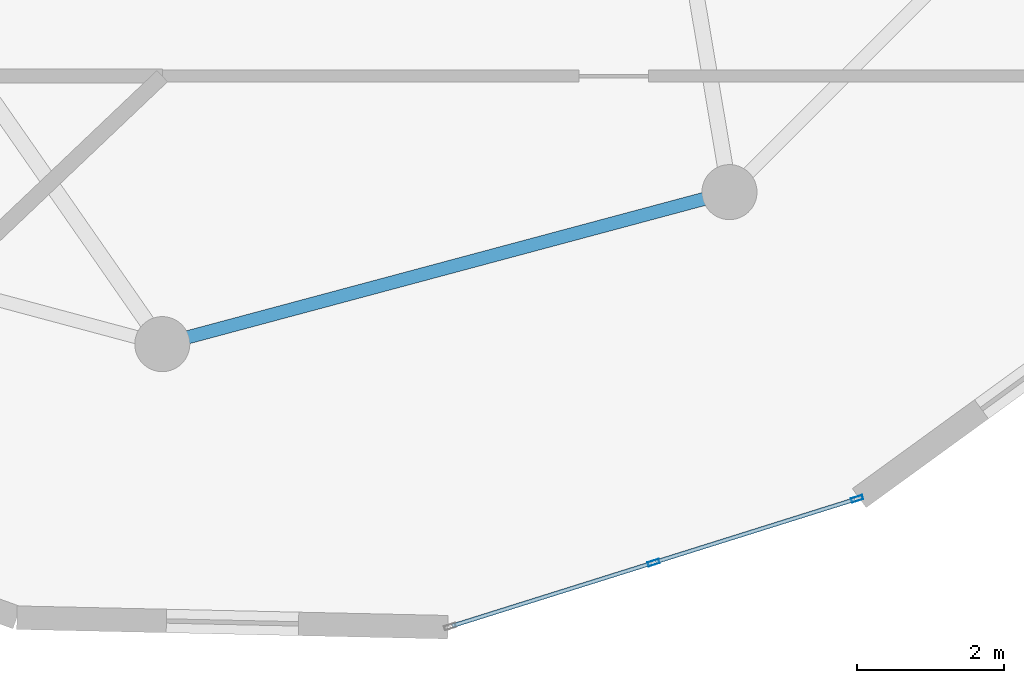
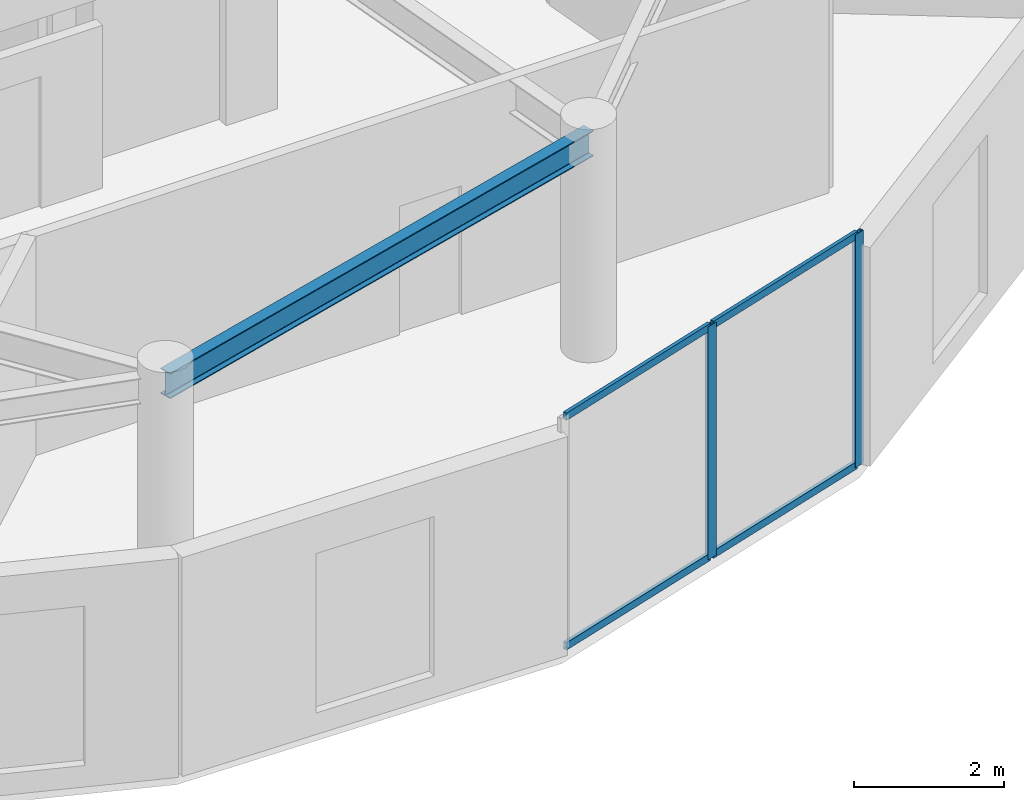
# One storey, part 5 of 19: 6 members, 1 beam, 1 element without a shape of its own.
"""IFC4 building model written with IfcOpenShell, lengths in metres."""

import ifcopenshell
import ifcopenshell.guid

model = None  # the IFC model being written
_history = None  # IfcOwnerHistory: only IFC2X3 demands one
_inside = {}  # id of a spatial element -> (the spatial element, [elements in it])
_under = {}  # id of a project, library or spatial element -> (it, [spatial elements below it])
_declared = {}  # id of a project -> (the project, [libraries it declares])
_typed = {}  # id of a type object -> (the type object, [elements of that type])
_made_of = {}  # id of a material, layer set ... -> (it, [elements and type objects made of it])


def new_model(schema):
    """Start an empty IFC model of exactly this schema.

    Asked for "IFC4X3", IfcOpenShell would pick the latest addendum, in which some entities
    have other attributes; the version numbers below select the first issue.
    IFC2X3 requires an IfcOwnerHistory on every rooted entity: one is made here for all.
    """
    global model, _history
    if schema == "IFC4X3":
        model = ifcopenshell.file(schema_version=(4, 3, 0, 0))
    else:
        model = ifcopenshell.file(schema=schema)
    _inside.clear()
    _under.clear()
    _declared.clear()
    _typed.clear()
    _made_of.clear()
    _history = None
    if model.schema == "IFC2X3":
        org = make("IfcOrganization", Name="unknown")
        user = make(
            "IfcPersonAndOrganization",
            ThePerson=make("IfcPerson", FamilyName="unknown"),
            TheOrganization=org,
        )
        app = make(
            "IfcApplication",
            ApplicationDeveloper=org,
            Version="unknown",
            ApplicationFullName="unknown",
            ApplicationIdentifier="unknown",
        )
        _history = make(
            "IfcOwnerHistory",
            OwningUser=user,
            OwningApplication=app,
            ChangeAction="ADDED",
            CreationDate=0,
        )
    return model


def make(cls, **values):
    """One entity of the class cls with the attributes given. An attribute that is None is left unset."""
    return model.create_entity(
        cls, **{name: value for name, value in values.items() if value is not None}
    )


def rooted(cls, **values):
    """An entity with a GlobalId (a new one), such as an element, a storey or a relation."""
    return make(cls, GlobalId=ifcopenshell.guid.new(), OwnerHistory=_history, **values)


def si_unit(unit_type, name, prefix=None):
    """IfcSIUnit, for example si_unit("LENGTHUNIT", "METRE", prefix="MILLI")."""
    return make("IfcSIUnit", UnitType=unit_type, Prefix=prefix, Name=name)


def assignment(units):
    """IfcUnitAssignment: the units of a project."""
    return None if units is None else make("IfcUnitAssignment", Units=units)


def point(xyz):
    """IfcCartesianPoint."""
    return None if xyz is None else make("IfcCartesianPoint", Coordinates=xyz)


def direction(xyz):
    """IfcDirection."""
    return None if xyz is None else make("IfcDirection", DirectionRatios=xyz)


def frame(location, z_axis=None, x_axis=None):
    """IfcAxis2Placement3D, a coordinate frame: its origin and axes. An axis left out is left unset."""
    return make(
        "IfcAxis2Placement3D",
        Location=point(location),
        Axis=direction(z_axis),
        RefDirection=direction(x_axis),
    )


def frame_2d(location, x_axis=None):
    """IfcAxis2Placement2D, a coordinate frame in the plane: its origin and x axis."""
    return make(
        "IfcAxis2Placement2D", Location=point(location), RefDirection=direction(x_axis)
    )


def origin():
    """The frame at (0, 0, 0) with its axes left unset."""
    return frame((0.0, 0.0, 0.0))


def origin_2d():
    """The frame at (0, 0) in the plane with its x axis left unset."""
    return frame_2d((0.0, 0.0))


def place(relative_to, where):
    """IfcLocalPlacement: puts the frame where relative to a parent placement (None: the world)."""
    return make(
        "IfcLocalPlacement", PlacementRelTo=relative_to, RelativePlacement=where
    )


def context(
    kind, dimensions, precision=None, world=None, true_north=None, identifier=None
):
    """IfcGeometricRepresentationContext, for example the 3D "Model" context."""
    return make(
        "IfcGeometricRepresentationContext",
        ContextIdentifier=identifier,
        ContextType=kind,
        CoordinateSpaceDimension=dimensions,
        Precision=precision,
        WorldCoordinateSystem=world,
        TrueNorth=true_north,
    )


def subcontext(parent, identifier, kind, view, scale=None):
    """IfcGeometricRepresentationSubContext, for example "Body" below "Model"."""
    return make(
        "IfcGeometricRepresentationSubContext",
        ContextIdentifier=identifier,
        ContextType=kind,
        ParentContext=parent,
        TargetScale=scale,
        TargetView=view,
    )


def project(units=None, contexts=None):
    """IfcProject with its units and contexts."""
    return rooted(
        "IfcProject",
        Name="project",
        RepresentationContexts=contexts,
        UnitsInContext=assignment(units),
    )


def spatial(cls, under=None, at=None, **own):
    """A site, building, storey or space (cls), placed at a placement, below another one or the project."""
    s = rooted(cls, ObjectPlacement=at, **own)
    if under is not None:
        _under.setdefault(under.id(), (under, []))[1].append(s)
    return s


def profile(cls, at=None, kind="AREA", **sizes):
    """A parametric profile (cls). Its sizes go by their IFC names, for example OverallWidth=200.0."""
    return make(cls, ProfileType=kind, Position=at, **sizes)


def hollow_rectangle(**sizes):
    """IfcRectangleHollowProfileDef."""
    return profile("IfcRectangleHollowProfileDef", **sizes)


def i_section(**sizes):
    """IfcIShapeProfileDef."""
    return profile("IfcIShapeProfileDef", **sizes)


def extrude(swept, where, along, depth):
    """IfcExtrudedAreaSolid: the profile swept, set in the frame where, extruded along a direction by depth."""
    return make(
        "IfcExtrudedAreaSolid",
        SweptArea=swept,
        Position=where,
        ExtrudedDirection=direction(along),
        Depth=depth,
    )


def shape(context_of_items, identifier, shape_type, items):
    """IfcShapeRepresentation: the items that make up one representation, for example the "Body"."""
    return make(
        "IfcShapeRepresentation",
        ContextOfItems=context_of_items,
        RepresentationIdentifier=identifier,
        RepresentationType=shape_type,
        Items=items,
    )


def source(mapping_origin, context_of_items, identifier, shape_type, items):
    """IfcRepresentationMap: a shape defined once, which mapped items show again and again."""
    return make(
        "IfcRepresentationMap",
        MappingOrigin=mapping_origin,
        MappedRepresentation=shape(context_of_items, identifier, shape_type, items),
    )


def transform(
    local_origin,
    x_axis=None,
    y_axis=None,
    z_axis=None,
    scale=None,
    scale2=None,
    scale3=None,
    uniform=True,
):
    """IfcCartesianTransformationOperator3D, or its non-uniform kind. x_axis, y_axis, z_axis: its Axis1, 2, 3."""
    if uniform:
        return make(
            "IfcCartesianTransformationOperator3D",
            Axis1=direction(x_axis),
            Axis2=direction(y_axis),
            LocalOrigin=point(local_origin),
            Scale=scale,
            Axis3=direction(z_axis),
        )
    return make(
        "IfcCartesianTransformationOperator3DnonUniform",
        Axis1=direction(x_axis),
        Axis2=direction(y_axis),
        LocalOrigin=point(local_origin),
        Scale=scale,
        Axis3=direction(z_axis),
        Scale2=scale2,
        Scale3=scale3,
    )


def mapped(mapping_source, mapping_target):
    """IfcMappedItem: shows the shape of a source again, moved by a transform."""
    return make(
        "IfcMappedItem", MappingSource=mapping_source, MappingTarget=mapping_target
    )


def material(Name=None, Category=None):
    """IfcMaterial."""
    return make("IfcMaterial", Name=Name, Category=Category)


def layer(
    of_material, thickness, ventilated=None, Name=None, Category=None, Priority=None
):
    """IfcMaterialLayer: one layer of a wall or slab, of a material (None: an air gap)."""
    return make(
        "IfcMaterialLayer",
        Material=of_material,
        LayerThickness=thickness,
        IsVentilated=ventilated,
        Name=Name,
        Category=Category,
        Priority=Priority,
    )


def layer_set(layers, Name=None):
    """IfcMaterialLayerSet."""
    return make("IfcMaterialLayerSet", MaterialLayers=layers, LayerSetName=Name)


def material_profile(
    of_material, cross_section, Name=None, Category=None, Priority=None
):
    """IfcMaterialProfile: a cross section and its material."""
    return make(
        "IfcMaterialProfile",
        Name=Name,
        Material=of_material,
        Profile=cross_section,
        Priority=Priority,
        Category=Category,
    )


def profile_set(profiles, Name=None, composite=None):
    """IfcMaterialProfileSet."""
    return make(
        "IfcMaterialProfileSet",
        Name=Name,
        MaterialProfiles=profiles,
        CompositeProfile=composite,
    )


def made_of(thing, what):
    """Note that an element or type object is made of a material, layer set ...; save() writes the relation."""
    if what is not None:
        _made_of.setdefault(what.id(), (what, []))[1].append(thing)
    return thing


def type_object(cls, material=None, **own):
    """A type object (cls), such as IfcWallType, which elements share."""
    return made_of(rooted(cls, **own), material)


def element(
    cls,
    number,
    at=None,
    inside=None,
    cuts=None,
    type_object=None,
    material=None,
    context=None,
    identifier="Body",
    shape_type=None,
    held_by="IfcProductDefinitionShape",
    body=None,
    shapes=None,
    **own,
):
    """One element of the class cls, such as IfcWall. Its Tag is "e" and its number.

    at: its placement. inside: the storey or other place that contains it. cuts: it is an
    opening in that element (IfcRelVoidsElement). A single representation is given by context,
    identifier, shape_type and body (its items); several are given by shapes. held_by: the class
    of the entity that holds the representations. save() writes the other relations.
    """
    e = rooted(cls, Tag="e%d" % number, ObjectPlacement=at, **own)
    if body is not None:
        shapes = [shape(context, identifier, shape_type, body)]
    if shapes is not None:
        e.Representation = make(held_by, Representations=shapes)
    if inside is not None:
        _inside.setdefault(inside.id(), (inside, []))[1].append(e)
    if cuts is not None:
        rooted(
            "IfcRelVoidsElement", RelatingBuildingElement=cuts, RelatedOpeningElement=e
        )
    if type_object is not None:
        _typed.setdefault(type_object.id(), (type_object, []))[1].append(e)
    return made_of(e, material)


def aggregate(whole, parts):
    """IfcRelAggregates: a whole, such as a stair, and the parts it consists of."""
    return rooted("IfcRelAggregates", RelatingObject=whole, RelatedObjects=parts)


def save(model, path):
    """Write the relations noted so far, then the file.

    IfcRelAggregates (storeys below a building ...), IfcRelContainedInSpatialStructure (elements
    in a storey), IfcRelDefinesByType, IfcRelAssociatesMaterial and IfcRelDeclares: one each for
    every whole, place, type object, material and project.
    """
    for whole, parts in _under.values():
        aggregate(whole, parts)
    for where, things in _inside.values():
        rooted(
            "IfcRelContainedInSpatialStructure",
            RelatedElements=things,
            RelatingStructure=where,
        )
    for kind, things in _typed.values():
        rooted("IfcRelDefinesByType", RelatedObjects=things, RelatingType=kind)
    for what, things in _made_of.values():
        rooted("IfcRelAssociatesMaterial", RelatedObjects=things, RelatingMaterial=what)
    for by, libraries in _declared.values():
        rooted("IfcRelDeclares", RelatingContext=by, RelatedDefinitions=libraries)
    model.write(path)


model = new_model("IFC4")

# Units and contexts
model_context = context("Model", 3, precision=1e-05, world=origin(), true_north=direction((0.0, 1.0)))
body_context = subcontext(model_context, "Body", "Model", "MODEL_VIEW")
ifc_project = project(units=[si_unit("LENGTHUNIT", "METRE"), si_unit("AREAUNIT", "SQUARE_METRE"), si_unit("VOLUMEUNIT", "CUBIC_METRE"), si_unit("PLANEANGLEUNIT", "RADIAN"), si_unit("MASSUNIT", "GRAM", prefix="KILO")], contexts=[model_context])

# Site, building, storey
site_placement = place(None, origin())
site = spatial("IfcSite", under=ifc_project, at=site_placement, CompositionType="ELEMENT")
building_placement = place(site_placement, origin())
building = spatial("IfcBuilding", under=site, at=building_placement, Name="Solvirekh Grand Hotel", CompositionType="ELEMENT")
storey_placement = place(building_placement, frame((0.0, 0.0, 254.39990234375)))
storey = spatial("IfcBuildingStorey", under=building, at=storey_placement, Name="L66", CompositionType="ELEMENT", Elevation=254.39990234375)

# Beam
ifc_material_1 = material(Name="Steel S355", Category="steel")
ifc_material_profile_1 = material_profile(ifc_material_1, i_section(OverallWidth=0.180908203125, OverallDepth=0.4169921875, WebThickness=0.010009765625, FlangeThickness=0.01611328125, FilletRadius=0.011962890625, at=origin_2d()), Name="W410X85")
ifc_profile_set_1 = profile_set([ifc_material_profile_1], Name="Steel S355")
beam_type = type_object("IfcBeamType", Name="Spandrel_Ring_W410", PredefinedType="SPANDREL", material=ifc_profile_set_1)
beam_placement = place(storey_placement, frame((0.0, -15.449951171875, 3.362060546875), z_axis=(0.965921616143, 0.258834757072, 0.0), x_axis=(-0.258834757072, 0.965921616143, 0.0)))
element("IfcBeam", 1, at=beam_placement, inside=storey, type_object=beam_type, Name="L66 perimeter spandrel beam 10", PredefinedType="SPANDREL", context=body_context, shape_type="SweptSolid", body=[
    extrude(i_section(OverallWidth=0.180908203125, OverallDepth=0.4169921875, WebThickness=0.010009765625, FlangeThickness=0.01611328125, FilletRadius=0.011962890625, at=origin_2d()), origin(), (0.0, 0.0, 1.0), 7.99755859375),
])

# Curtain wall, members
ifc_material_2 = material(Name="Anodized Bronze Aluminium 6063-T6", Category="aluminium")
ifc_layer = layer(ifc_material_2, 0.159912109375)
ifc_layer_set = layer_set([ifc_layer], Name="Anodized Bronze Aluminium 6063-T6")
curtain_wall_type = type_object("IfcCurtainWallType", Name="CW_Sys4_HighZoneFlushBronzeCW", PredefinedType="NOTDEFINED", material=ifc_layer_set)
curtain_wall_placement = place(storey_placement, origin())
curtain_wall = element("IfcCurtainWall", 2, at=curtain_wall_placement, inside=storey, type_object=curtain_wall_type, Name="L66 unitised bronze-glass curtain wall CW-L66-C01", PredefinedType="NOTDEFINED")
ifc_material_profile_2 = material_profile(ifc_material_2, hollow_rectangle(XDim=0.06005859375, YDim=0.159912109375, WallThickness=0.0048828125, at=origin_2d()), Name="ALU RHS 160X60X5")
ifc_profile_set_2 = profile_set([ifc_material_profile_2], Name="Anodized Bronze Aluminium 6063-T6")
member_type_1 = type_object("IfcMemberType", Name="CWMullion_Sys4", PredefinedType="MULLION", material=ifc_profile_set_2)
shared_shape_1 = source(origin(), body_context, "Body", "SweptSolid", [
    extrude(hollow_rectangle(XDim=0.06005859375, YDim=0.159912109375, WallThickness=0.0048828125, at=origin_2d()), origin(), (0.0, 0.0, 1.0), 3.800048828125),
])
member_1_placement = place(storey_placement, frame((6.69189453125, -18.426513671875, 0.0), z_axis=(0.0, 0.0, 1.0), x_axis=(-0.299574158927, 0.954073017805, 0.0)))
member_1 = element("IfcMember", 3, at=member_1_placement, type_object=member_type_1, Name="U04 mullion 2", PredefinedType="MULLION", context=body_context, shape_type="MappedRepresentation", body=[
    mapped(shared_shape_1, transform((0.0, 0.0, 0.0), x_axis=(1.0, 0.0, 0.0), y_axis=(0.0, 1.0, 0.0), z_axis=(0.0, 0.0, 1.0), scale=1.0)),
])
member_2_placement = place(storey_placement, frame((9.46435546875, -17.555908203125, 0.0), z_axis=(0.0, 0.0, 1.0), x_axis=(-0.299574158927, 0.954073017805, 0.0)))
member_2 = element("IfcMember", 4, at=member_2_placement, type_object=member_type_1, Name="U04 mullion 3", PredefinedType="MULLION", context=body_context, shape_type="MappedRepresentation", body=[
    mapped(shared_shape_1, transform((0.0, 0.0, 0.0), x_axis=(1.0, 0.0, 0.0), y_axis=(0.0, 1.0, 0.0), z_axis=(0.0, 0.0, 1.0), scale=1.0)),
])
ifc_material_profile_3 = material_profile(ifc_material_2, hollow_rectangle(XDim=0.054931640625, YDim=0.1201171875, WallThickness=0.00390625, at=origin_2d()), Name="ALU RHS 120X55X4")
ifc_profile_set_3 = profile_set([ifc_material_profile_3], Name="Anodized Bronze Aluminium 6063-T6")
member_type_2 = type_object("IfcMemberType", Name="CWTransom_Sys4", PredefinedType="USERDEFINED", material=ifc_profile_set_3)
shared_shape_2 = source(origin(), body_context, "Body", "SweptSolid", [
    extrude(hollow_rectangle(XDim=0.054931640625, YDim=0.1201171875, WallThickness=0.00390625, at=origin_2d()), origin(), (0.0, 0.0, 1.0), 2.845703125),
])
member_3_placement = place(storey_placement, frame((3.9482421875, -19.2880859375, 0.027587890625), z_axis=(0.954071507715, 0.299578968163, 0.0), x_axis=(-0.299578968163, 0.954071507715, 0.0)))
member_3 = element("IfcMember", 5, at=member_3_placement, type_object=member_type_2, Name="U04 transom 1.1", ObjectType="TRANSOM", PredefinedType="USERDEFINED", context=body_context, shape_type="MappedRepresentation", body=[
    mapped(shared_shape_2, transform((0.0, 0.0, 0.0), x_axis=(1.0, 0.0, 0.0), y_axis=(0.0, 1.0, 0.0), z_axis=(0.0, 0.0, 1.0), scale=1.0)),
])
member_4_placement = place(storey_placement, frame((3.9482421875, -19.2880859375, 3.772705078125), z_axis=(0.954071507715, 0.299578968163, 0.0), x_axis=(-0.299578968163, 0.954071507715, 0.0)))
member_4 = element("IfcMember", 6, at=member_4_placement, type_object=member_type_2, Name="U04 transom 1.2", ObjectType="TRANSOM", PredefinedType="USERDEFINED", context=body_context, shape_type="MappedRepresentation", body=[
    mapped(shared_shape_2, transform((0.0, 0.0, 0.0), x_axis=(1.0, 0.0, 0.0), y_axis=(0.0, 1.0, 0.0), z_axis=(0.0, 0.0, 1.0), scale=1.0)),
])
member_5_placement = place(storey_placement, frame((6.720703125, -18.41748046875, 0.027587890625), z_axis=(0.954071507715, 0.299578968163, 0.0), x_axis=(-0.299578968163, 0.954071507715, 0.0)))
member_5 = element("IfcMember", 7, at=member_5_placement, type_object=member_type_2, Name="U04 transom 2.1", ObjectType="TRANSOM", PredefinedType="USERDEFINED", context=body_context, shape_type="MappedRepresentation", body=[
    mapped(shared_shape_2, transform((0.0, 0.0, 0.0), x_axis=(1.0, 0.0, 0.0), y_axis=(0.0, 1.0, 0.0), z_axis=(0.0, 0.0, 1.0), scale=1.0)),
])
member_6_placement = place(storey_placement, frame((6.720703125, -18.41748046875, 3.772705078125), z_axis=(0.954071507715, 0.299578968163, 0.0), x_axis=(-0.299578968163, 0.954071507715, 0.0)))
member_6 = element("IfcMember", 8, at=member_6_placement, type_object=member_type_2, Name="U04 transom 2.2", ObjectType="TRANSOM", PredefinedType="USERDEFINED", context=body_context, shape_type="MappedRepresentation", body=[
    mapped(shared_shape_2, transform((0.0, 0.0, 0.0), x_axis=(1.0, 0.0, 0.0), y_axis=(0.0, 1.0, 0.0), z_axis=(0.0, 0.0, 1.0), scale=1.0)),
])
aggregate(curtain_wall, [member_1, member_2, member_3, member_4, member_5, member_6])

save(model, "model.ifc")
